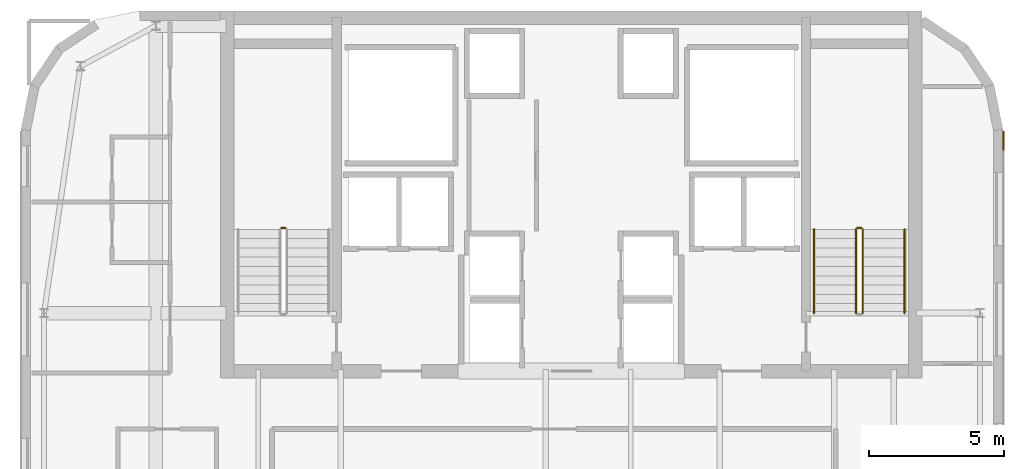
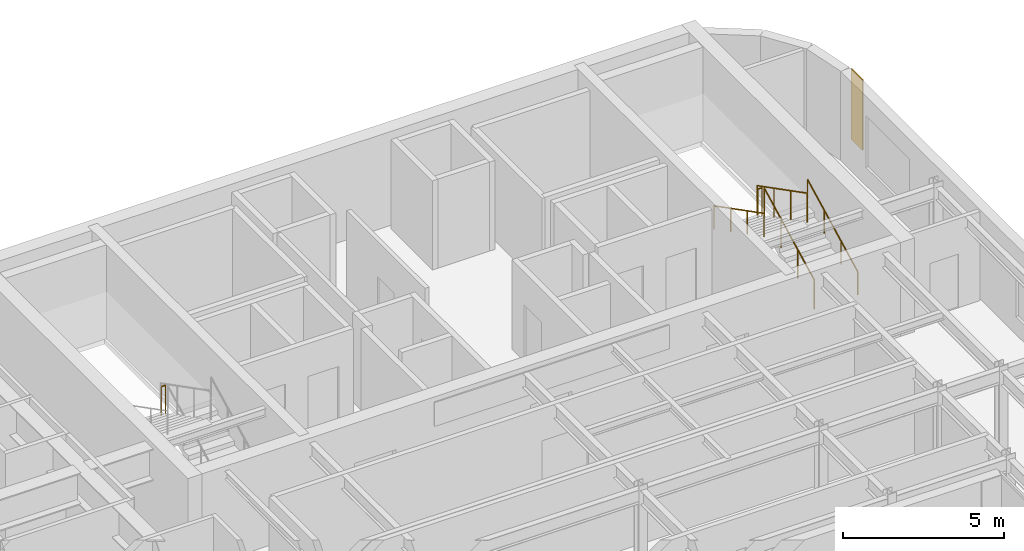
# One storey, part 21 of 21: 6 railings, 1 covering.
"""IFC4 building model written with IfcOpenShell, lengths in metres."""

from ifc_helpers import new_model, si_unit, direction, frame, origin, origin_2d, place, context, subcontext, project, spatial, polyline, circle, outline, extrude, material, layer, layer_set, type_object, element, save


model = new_model("IFC4")

# Units and contexts
model_context = context("Model", 3, precision=1e-05, world=origin(), true_north=direction((0.0, 1.0)))
body_context = subcontext(model_context, "Body", "Model", "MODEL_VIEW")
ifc_project = project(units=[si_unit("LENGTHUNIT", "METRE"), si_unit("AREAUNIT", "SQUARE_METRE"), si_unit("VOLUMEUNIT", "CUBIC_METRE"), si_unit("PLANEANGLEUNIT", "RADIAN"), si_unit("MASSUNIT", "GRAM", prefix="KILO")], contexts=[model_context])

# Site, building, storey
site_placement = place(None, origin())
site = spatial("IfcSite", under=ifc_project, at=site_placement, CompositionType="ELEMENT")
building_placement = place(site_placement, origin())
building = spatial("IfcBuilding", under=site, at=building_placement, Name="Tolvann Quenvar Hotel", CompositionType="ELEMENT")
storey_placement = place(building_placement, frame((0.0, 0.0, 262.949951171875)))
storey = spatial("IfcBuildingStorey", under=building, at=storey_placement, Name="L70", CompositionType="ELEMENT", Elevation=262.949951171875)

# Covering
ifc_material_1 = material(Name="Kiln-fired red architectural face brick cladding", Category="masonry")
ifc_layer = layer(ifc_material_1, 0.0400390625)
ifc_layer_set = layer_set([ifc_layer], Name="Kiln-fired red architectural face brick cladding")
covering_type = type_object("IfcCoveringType", Name="COV_CLAD_BRICK_40", PredefinedType="CLADDING", material=ifc_layer_set)
covering_placement = place(storey_placement, frame((0.0, 0.0, 0.699951171875)))
element("IfcCovering", 1, at=covering_placement, inside=storey, type_object=covering_type, Name="Brick Pier Cladding (L70-E13-P2)", PredefinedType="CLADDING", context=body_context, shape_type="SweptSolid", body=[
    extrude(outline(polyline([(39.0, 40.03271484375), (39.0, 40.73291015625), (39.0400390625, 40.73291015625), (39.0400390625, 40.03271484375), (39.0, 40.03271484375)])), origin(), (0.0, 0.0, 1.0), 2.670166015625),
])

# Railings
ifc_material_2 = material(Name="Brushed 316 stainless steel balustrade and handrail", Category="steel")
railing_type_1 = type_object("IfcRailingType", Name="GUARDRAIL", PredefinedType="GUARDRAIL", material=ifc_material_2)
railing_1_placement = place(storey_placement, frame((12.39990234375, 37.155029296875, 1.775146484375)))
element("IfcRailing", 2, at=railing_1_placement, inside=storey, type_object=railing_type_1, Name="L70 ST-C1 stair guard 2", PredefinedType="GUARDRAIL", context=body_context, shape_type="SweptSolid", body=[
    extrude(circle(Radius=0.02392578125, at=origin_2d()), frame((0.0, 0.0, 1.09619140625), z_axis=(-1.0, 0.0, 0.0), x_axis=(0.0, -1.0, 0.0)), (0.0, 0.0, 1.0), 0.14990234375),
    extrude(circle(Radius=0.02099609375, at=origin_2d()), origin(), (0.0, 0.0, 1.0), 1.072021484375),
    extrude(circle(Radius=0.02099609375, at=origin_2d()), frame((-0.14990234375, 0.0, 0.0)), (0.0, 0.0, 1.0), 1.072021484375),
])
railing_2_placement = place(storey_placement, frame((33.800048828125, 34.0, 0.177490234375)))
element("IfcRailing", 3, at=railing_2_placement, inside=storey, type_object=railing_type_1, Name="L70 ST-C2 stair guard 1", PredefinedType="GUARDRAIL", context=body_context, shape_type="SweptSolid", body=[
    extrude(circle(Radius=0.02392578125, at=origin_2d()), frame((0.0, 0.0, 1.09619140625), z_axis=(0.0, 0.88919353882, 0.457531256332), x_axis=(-1.0, 0.0, 0.0)), (0.0, 0.0, 1.0), 3.491943359375),
    extrude(circle(Radius=0.02099609375, at=origin_2d()), origin(), (0.0, 0.0, 1.0), 1.072021484375),
    extrude(circle(Radius=0.02099609375, at=origin_2d()), frame((0.0, 1.034912109375, 0.532470703125)), (0.0, 0.0, 1.0), 1.072021484375),
    extrude(circle(Radius=0.02099609375, at=origin_2d()), frame((0.0, 2.070068359375, 1.065185546875)), (0.0, 0.0, 1.0), 1.072021484375),
    extrude(circle(Radius=0.02099609375, at=origin_2d()), frame((0.0, 3.10498046875, 1.59765625)), (0.0, 0.0, 1.0), 1.072021484375),
])
railing_3_placement = place(storey_placement, frame((33.75, 37.155029296875, 1.775146484375)))
element("IfcRailing", 4, at=railing_3_placement, inside=storey, type_object=railing_type_1, Name="L70 ST-C2 stair guard 2", PredefinedType="GUARDRAIL", context=body_context, shape_type="SweptSolid", body=[
    extrude(circle(Radius=0.02392578125, at=origin_2d()), frame((0.0, 0.0, 1.09619140625), z_axis=(-1.0, 0.0, 0.0), x_axis=(0.0, -1.0, 0.0)), (0.0, 0.0, 1.0), 0.14990234375),
    extrude(circle(Radius=0.02099609375, at=origin_2d()), origin(), (0.0, 0.0, 1.0), 1.072021484375),
    extrude(circle(Radius=0.02099609375, at=origin_2d()), frame((-0.14990234375, 0.0, 0.0)), (0.0, 0.0, 1.0), 1.072021484375),
])
railing_4_placement = place(storey_placement, frame((33.550048828125, 37.10498046875, 1.95263671875)))
element("IfcRailing", 5, at=railing_4_placement, inside=storey, type_object=railing_type_1, Name="L70 ST-C2 stair guard 3", PredefinedType="GUARDRAIL", context=body_context, shape_type="SweptSolid", body=[
    extrude(circle(Radius=0.02392578125, at=origin_2d()), frame((0.0, 0.0, 1.09619140625), z_axis=(0.0, -0.889221982265, 0.45747597342), x_axis=(1.0, 0.0, 0.0)), (0.0, 0.0, 1.0), 3.49169921875),
    extrude(circle(Radius=0.02099609375, at=origin_2d()), origin(), (0.0, 0.0, 1.0), 1.072021484375),
    extrude(circle(Radius=0.02099609375, at=origin_2d()), frame((0.0, -1.034912109375, 0.532470703125)), (0.0, 0.0, 1.0), 1.072021484375),
    extrude(circle(Radius=0.02099609375, at=origin_2d()), frame((0.0, -2.070068359375, 1.06494140625)), (0.0, 0.0, 1.0), 1.072021484375),
    extrude(circle(Radius=0.02099609375, at=origin_2d()), frame((0.0, -3.10498046875, 1.597412109375)), (0.0, 0.0, 1.0), 1.072021484375),
])
railing_type_2 = type_object("IfcRailingType", Name="HANDRAIL", PredefinedType="HANDRAIL", material=ifc_material_2)
railing_5_placement = place(storey_placement, frame((35.35009765625, 34.0, 0.177490234375)))
element("IfcRailing", 6, at=railing_5_placement, inside=storey, type_object=railing_type_2, Name="L70 ST-C2 stair handrail 1", PredefinedType="HANDRAIL", context=body_context, shape_type="SweptSolid", body=[
    extrude(circle(Radius=0.02392578125, at=origin_2d()), frame((0.0, 0.0, 0.8759765625), z_axis=(0.0, 0.88919353882, 0.457531256332), x_axis=(-1.0, 0.0, 0.0)), (0.0, 0.0, 1.0), 3.491943359375),
    extrude(circle(Radius=0.02099609375, at=origin_2d()), origin(), (0.0, 0.0, 1.0), 0.851806640625),
    extrude(circle(Radius=0.02099609375, at=origin_2d()), frame((0.0, 1.034912109375, 0.532470703125)), (0.0, 0.0, 1.0), 0.851806640625),
    extrude(circle(Radius=0.02099609375, at=origin_2d()), frame((0.0, 2.070068359375, 1.065185546875)), (0.0, 0.0, 1.0), 0.851806640625),
    extrude(circle(Radius=0.02099609375, at=origin_2d()), frame((0.0, 3.10498046875, 1.59765625)), (0.0, 0.0, 1.0), 0.851806640625),
])
railing_6_placement = place(storey_placement, frame((32.0, 37.10498046875, 1.95263671875)))
element("IfcRailing", 7, at=railing_6_placement, inside=storey, type_object=railing_type_2, Name="L70 ST-C2 stair handrail 2", PredefinedType="HANDRAIL", context=body_context, shape_type="SweptSolid", body=[
    extrude(circle(Radius=0.02392578125, at=origin_2d()), frame((0.0, 0.0, 0.8759765625), z_axis=(0.0, -0.889221982265, 0.45747597342), x_axis=(1.0, 0.0, 0.0)), (0.0, 0.0, 1.0), 3.49169921875),
    extrude(circle(Radius=0.02099609375, at=origin_2d()), origin(), (0.0, 0.0, 1.0), 0.851806640625),
    extrude(circle(Radius=0.02099609375, at=origin_2d()), frame((0.0, -1.034912109375, 0.532470703125)), (0.0, 0.0, 1.0), 0.851806640625),
    extrude(circle(Radius=0.02099609375, at=origin_2d()), frame((0.0, -2.070068359375, 1.06494140625)), (0.0, 0.0, 1.0), 0.851806640625),
    extrude(circle(Radius=0.02099609375, at=origin_2d()), frame((0.0, -3.10498046875, 1.597412109375)), (0.0, 0.0, 1.0), 0.851806640625),
])

save(model, "model.ifc")
